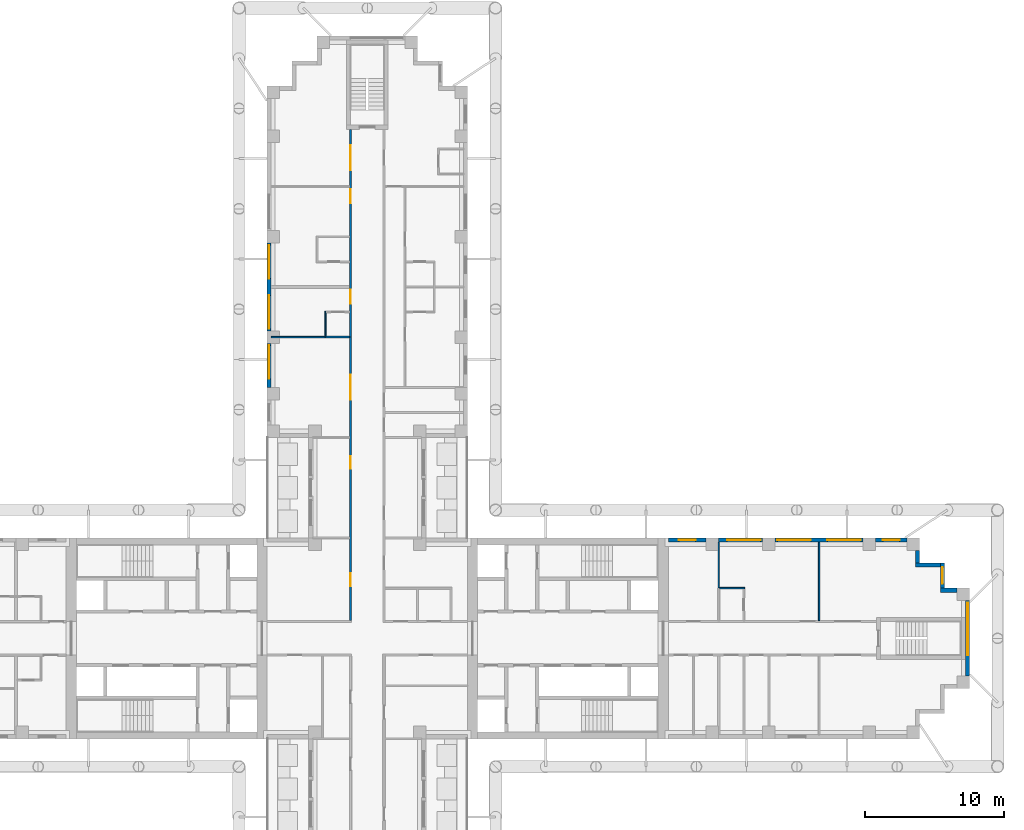
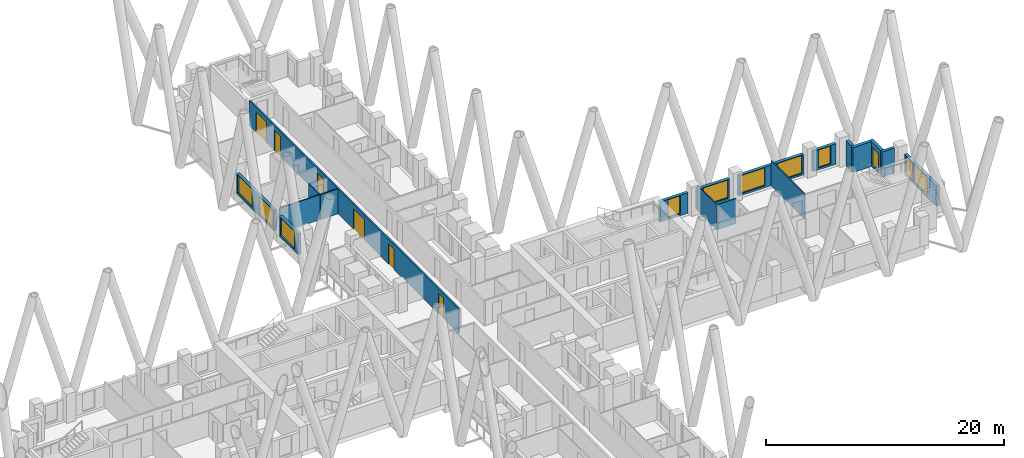
# One storey, part 11 of 16: 18 walls, 11 windows, 6 doors, 17 openings.
"""IFC4 building model written with IfcOpenShell, lengths in metres."""

from ifc_helpers import new_model, si_unit, direction, frame, frame_2d, origin, place, context, subcontext, project, spatial, rectangle, extrude, material, layer, layer_set, type_object, element, fill, save


model = new_model("IFC4")

# Units and contexts
model_context = context("Model", 3, precision=1e-05, world=origin(), true_north=direction((0.0, 1.0)))
body_context = subcontext(model_context, "Body", "Model", "MODEL_VIEW")
ifc_project = project(units=[si_unit("LENGTHUNIT", "METRE"), si_unit("AREAUNIT", "SQUARE_METRE"), si_unit("VOLUMEUNIT", "CUBIC_METRE"), si_unit("PLANEANGLEUNIT", "RADIAN"), si_unit("MASSUNIT", "GRAM", prefix="KILO")], contexts=[model_context])

# Site, building, storey
site_placement = place(None, origin())
site = spatial("IfcSite", under=ifc_project, at=site_placement, CompositionType="ELEMENT")
building_placement = place(site_placement, origin())
building = spatial("IfcBuilding", under=site, at=building_placement, Name="Fustian Cross Tower", CompositionType="ELEMENT")
storey_placement = place(building_placement, frame((0.0, 0.0, 44.699951171875)))
storey = spatial("IfcBuildingStorey", under=building, at=storey_placement, Name="L13", CompositionType="ELEMENT", Elevation=44.699951171875)

# Wall, openings, doors
ifc_material_1 = material(Name="Plasterboard on steel stud", Category="steel")
ifc_layer_1 = layer(ifc_material_1, 0.14990234375)
ifc_layer_set_1 = layer_set([ifc_layer_1], Name="Plasterboard on steel stud")
wall_type_1 = type_object("IfcWallType", Name="COMPARTMENT WALL 150 EI 60", PredefinedType="PARTITIONING", material=ifc_layer_set_1)
wall_1_placement = place(storey_placement, frame((-1.199951171875, 1.27490234375, 0.0), z_axis=(0.0, 0.0, 1.0), x_axis=(0.0, 1.0, 0.0)))
wall_1 = element("IfcWall", 1, at=wall_1_placement, inside=storey, type_object=wall_type_1, Name="Partition 43", PredefinedType="PARTITIONING", context=body_context, shape_type="SweptSolid", body=[
    extrude(rectangle(XDim=35.22509765625, YDim=0.14990234375, at=frame_2d((17.612548828125, 0.0))), origin(), (0.0, 0.0, 1.0), 2.574951171875),
])
opening_1_placement = place(wall_1_placement, frame((2.47509765625, 0.0, 0.0)))
opening_1 = element("IfcOpeningElement", 2, at=opening_1_placement, cuts=wall_1, Name="Opening D08004", PredefinedType="OPENING", context=body_context, shape_type="SweptSolid", body=[
    extrude(rectangle(XDim=0.89990234375, YDim=2.10009765625, at=frame_2d((0.449951171875, 1.050048828125))), frame((0.0, 0.0849609375, 0.0), z_axis=(0.0, -1.0, 0.0), x_axis=(1.0, 0.0, 0.0)), (0.0, 0.0, 1.0), 0.169921875),
])
opening_2_placement = place(wall_1_placement, frame((10.875, 0.0, 0.0)))
opening_2 = element("IfcOpeningElement", 3, at=opening_2_placement, cuts=wall_1, Name="Opening D08019", PredefinedType="OPENING", context=body_context, shape_type="SweptSolid", body=[
    extrude(rectangle(XDim=0.89990234375, YDim=2.10009765625, at=frame_2d((0.449951171875, 1.050048828125))), frame((0.0, 0.0849609375, 0.0), z_axis=(0.0, -1.0, 0.0), x_axis=(1.0, 0.0, 0.0)), (0.0, 0.0, 1.0), 0.169921875),
])
opening_3_placement = place(wall_1_placement, frame((15.824951171875, 0.0, 0.0)))
opening_3 = element("IfcOpeningElement", 4, at=opening_3_placement, cuts=wall_1, Name="Opening D08020", PredefinedType="OPENING", context=body_context, shape_type="SweptSolid", body=[
    extrude(rectangle(XDim=1.800048828125, YDim=2.10009765625, at=frame_2d((0.89990234375, 1.050048828125))), frame((0.0, 0.0849609375, 0.0), z_axis=(0.0, -1.0, 0.0), x_axis=(1.0, 0.0, 0.0)), (0.0, 0.0, 1.0), 0.169921875),
])
opening_4_placement = place(wall_1_placement, frame((22.72509765625, 0.0, 0.0)))
opening_4 = element("IfcOpeningElement", 5, at=opening_4_placement, cuts=wall_1, Name="Opening D08022", PredefinedType="OPENING", context=body_context, shape_type="SweptSolid", body=[
    extrude(rectangle(XDim=1.0, YDim=2.10009765625, at=frame_2d((0.5, 1.050048828125))), frame((0.0, 0.0849609375, 0.0), z_axis=(0.0, -1.0, 0.0), x_axis=(1.0, 0.0, 0.0)), (0.0, 0.0, 1.0), 0.169921875),
])
opening_5_placement = place(wall_1_placement, frame((29.925048828125, 0.0, 0.0)))
opening_5 = element("IfcOpeningElement", 6, at=opening_5_placement, cuts=wall_1, Name="Opening D08024", PredefinedType="OPENING", context=body_context, shape_type="SweptSolid", body=[
    extrude(rectangle(XDim=1.0, YDim=2.10009765625, at=frame_2d((0.5, 1.050048828125))), frame((0.0, 0.0849609375, 0.0), z_axis=(0.0, -1.0, 0.0), x_axis=(1.0, 0.0, 0.0)), (0.0, 0.0, 1.0), 0.169921875),
])
opening_6_placement = place(wall_1_placement, frame((32.27490234375, 0.0, 0.0)))
opening_6 = element("IfcOpeningElement", 7, at=opening_6_placement, cuts=wall_1, Name="Opening D08025", PredefinedType="OPENING", context=body_context, shape_type="SweptSolid", body=[
    extrude(rectangle(XDim=1.800048828125, YDim=2.10009765625, at=frame_2d((0.89990234375, 1.050048828125))), frame((0.0, 0.0849609375, 0.0), z_axis=(0.0, -1.0, 0.0), x_axis=(1.0, 0.0, 0.0)), (0.0, 0.0, 1.0), 0.169921875),
])
ifc_material_2 = material(Name="Timber fire door set", Category="wood")
door_type_1 = type_object("IfcDoorType", Name="FIRE DOUBLE DOOR 1800 FD30S", OperationType="DOUBLE_DOOR_DOUBLE_SWING", PredefinedType="DOOR", material=ifc_material_2)
door_1_placement = place(opening_3_placement, frame((1.800048828125, 0.0, 0.0), z_axis=(0.0, 0.0, 1.0), x_axis=(-1.0, 0.0, 0.0)))
door_1 = element("IfcDoor", 8, at=door_1_placement, inside=storey, type_object=door_type_1, Name="Door D08020", OperationType="DOUBLE_DOOR_DOUBLE_SWING", OverallHeight=2.10009765625, OverallWidth=1.800048828125, PredefinedType="DOOR", context=body_context, shape_type="SweptSolid", body=[
    extrude(rectangle(XDim=1.800048828125, YDim=2.10009765625, at=frame_2d((0.89990234375, 1.050048828125))), frame((0.0, 0.02490234375, 0.0), z_axis=(0.0, -1.0, 0.0), x_axis=(1.0, 0.0, 0.0)), (0.0, 0.0, 1.0), 0.050048828125),
])
fill(opening_3, door_1)
door_2_placement = place(opening_6_placement, frame((1.800048828125, 0.0, 0.0), z_axis=(0.0, 0.0, 1.0), x_axis=(-1.0, 0.0, 0.0)))
door_2 = element("IfcDoor", 9, at=door_2_placement, inside=storey, type_object=door_type_1, Name="Door D08025", OperationType="DOUBLE_DOOR_DOUBLE_SWING", OverallHeight=2.10009765625, OverallWidth=1.800048828125, PredefinedType="DOOR", context=body_context, shape_type="SweptSolid", body=[
    extrude(rectangle(XDim=1.800048828125, YDim=2.10009765625, at=frame_2d((0.89990234375, 1.050048828125))), frame((0.0, 0.02490234375, 0.0), z_axis=(0.0, -1.0, 0.0), x_axis=(1.0, 0.0, 0.0)), (0.0, 0.0, 1.0), 0.050048828125),
])
fill(opening_6, door_2)
ifc_material_3 = material(Name="Timber fire door set", Category="wood")
door_type_2 = type_object("IfcDoorType", Name="FIRE SWING DOOR 1000 FD30S", OperationType="SINGLE_SWING_LEFT", PredefinedType="DOOR", material=ifc_material_3)
door_3_placement = place(opening_4_placement, origin())
door_3 = element("IfcDoor", 10, at=door_3_placement, inside=storey, type_object=door_type_2, Name="Door D08022", OperationType="SINGLE_SWING_RIGHT", OverallHeight=2.10009765625, OverallWidth=1.0, PredefinedType="DOOR", context=body_context, shape_type="SweptSolid", body=[
    extrude(rectangle(XDim=1.0, YDim=2.10009765625, at=frame_2d((0.5, 1.050048828125))), frame((0.0, 0.02490234375, 0.0), z_axis=(0.0, -1.0, 0.0), x_axis=(1.0, 0.0, 0.0)), (0.0, 0.0, 1.0), 0.050048828125),
])
fill(opening_4, door_3)
door_4_placement = place(opening_5_placement, origin())
door_4 = element("IfcDoor", 11, at=door_4_placement, inside=storey, type_object=door_type_2, Name="Door D08024", OperationType="SINGLE_SWING_RIGHT", OverallHeight=2.10009765625, OverallWidth=1.0, PredefinedType="DOOR", context=body_context, shape_type="SweptSolid", body=[
    extrude(rectangle(XDim=1.0, YDim=2.10009765625, at=frame_2d((0.5, 1.050048828125))), frame((0.0, 0.02490234375, 0.0), z_axis=(0.0, -1.0, 0.0), x_axis=(1.0, 0.0, 0.0)), (0.0, 0.0, 1.0), 0.050048828125),
])
fill(opening_5, door_4)
ifc_material_4 = material(Name="Timber fire door set", Category="wood")
door_type_3 = type_object("IfcDoorType", Name="FIRE SWING DOOR 900 FD30S", OperationType="SINGLE_SWING_LEFT", PredefinedType="DOOR", material=ifc_material_4)
door_5_placement = place(opening_1_placement, origin())
door_5 = element("IfcDoor", 12, at=door_5_placement, inside=storey, type_object=door_type_3, Name="Door D08004", OperationType="SINGLE_SWING_LEFT", OverallHeight=2.10009765625, OverallWidth=0.89990234375, PredefinedType="DOOR", context=body_context, shape_type="SweptSolid", body=[
    extrude(rectangle(XDim=0.89990234375, YDim=2.10009765625, at=frame_2d((0.449951171875, 1.050048828125))), frame((0.0, 0.02490234375, 0.0), z_axis=(0.0, -1.0, 0.0), x_axis=(1.0, 0.0, 0.0)), (0.0, 0.0, 1.0), 0.050048828125),
])
fill(opening_1, door_5)
door_6_placement = place(opening_2_placement, origin())
door_6 = element("IfcDoor", 13, at=door_6_placement, inside=storey, type_object=door_type_3, Name="Door D08019", OperationType="SINGLE_SWING_RIGHT", OverallHeight=2.10009765625, OverallWidth=0.89990234375, PredefinedType="DOOR", context=body_context, shape_type="SweptSolid", body=[
    extrude(rectangle(XDim=0.89990234375, YDim=2.10009765625, at=frame_2d((0.449951171875, 1.050048828125))), frame((0.0, 0.02490234375, 0.0), z_axis=(0.0, -1.0, 0.0), x_axis=(1.0, 0.0, 0.0)), (0.0, 0.0, 1.0), 0.050048828125),
])
fill(opening_2, door_6)

# Walls
ifc_material_5 = material(Name="Plasterboard on steel stud", Category="steel")
ifc_layer_2 = layer(ifc_material_5, 0.10009765625)
ifc_layer_set_2 = layer_set([ifc_layer_2], Name="Plasterboard on steel stud")
wall_type_2 = type_object("IfcWallType", Name="PARTITION 100 STUD", PredefinedType="PARTITIONING", material=ifc_layer_set_2)
wall_2_placement = place(storey_placement, frame((-6.89990234375, 21.60009765625, 0.0), z_axis=(0.0, 0.0, 1.0), x_axis=(1.0, 0.0, 0.0)))
element("IfcWall", 14, at=wall_2_placement, inside=storey, type_object=wall_type_2, Name="Partition 23", PredefinedType="PARTITIONING", context=body_context, shape_type="SweptSolid", body=[
    extrude(rectangle(XDim=3.89990234375, YDim=0.10009765625, at=frame_2d((1.949951171875, 0.0))), origin(), (0.0, 0.0, 1.0), 2.574951171875),
])
wall_3_placement = place(storey_placement, frame((-3.0, 21.66259765625, 0.0), z_axis=(0.0, 0.0, 1.0), x_axis=(0.0, 1.0, 0.0)))
element("IfcWall", 15, at=wall_3_placement, inside=storey, type_object=wall_type_2, Name="Partition 38", PredefinedType="PARTITIONING", context=body_context, shape_type="SweptSolid", body=[
    extrude(rectangle(XDim=1.787353515625, YDim=0.10009765625, at=frame_2d((0.8935546875, 0.0))), origin(), (0.0, 0.0, 1.0), 2.574951171875),
])
wall_4_placement = place(storey_placement, frame((25.199951171875, 3.60009765625, 0.0), z_axis=(0.0, 0.0, 1.0), x_axis=(0.0, 1.0, 0.0)))
element("IfcWall", 16, at=wall_4_placement, inside=storey, type_object=wall_type_2, Name="Partition 82", PredefinedType="PARTITIONING", context=body_context, shape_type="SweptSolid", body=[
    extrude(rectangle(XDim=3.2998046875, YDim=0.10009765625, at=frame_2d((1.64990234375, 0.0))), origin(), (0.0, 0.0, 1.0), 2.574951171875),
])
wall_5_placement = place(storey_placement, frame((25.262451171875, 3.60009765625, 0.0), z_axis=(0.0, 0.0, 1.0), x_axis=(1.0, 0.0, 0.0)))
element("IfcWall", 17, at=wall_5_placement, inside=storey, type_object=wall_type_2, Name="Partition 83", PredefinedType="PARTITIONING", context=body_context, shape_type="SweptSolid", body=[
    extrude(rectangle(XDim=1.78759765625, YDim=0.10009765625, at=frame_2d((0.893798828125, 0.0))), origin(), (0.0, 0.0, 1.0), 2.574951171875),
])
wall_6_placement = place(storey_placement, frame((32.39990234375, 1.27490234375, 0.0), z_axis=(0.0, 0.0, 1.0), x_axis=(0.0, 1.0, 0.0)))
element("IfcWall", 18, at=wall_6_placement, inside=storey, type_object=wall_type_2, Name="Partition 88", PredefinedType="PARTITIONING", context=body_context, shape_type="SweptSolid", body=[
    extrude(rectangle(XDim=5.625, YDim=0.10009765625, at=frame_2d((2.8125, 0.0))), origin(), (0.0, 0.0, 1.0), 2.574951171875),
])
ifc_material_6 = material(Name="Plasterboard on steel stud", Category="steel")
ifc_layer_3 = layer(ifc_material_6, 0.125)
ifc_layer_set_3 = layer_set([ifc_layer_3], Name="Plasterboard on steel stud")
wall_type_3 = type_object("IfcWallType", Name="WET WALL 125 STUD", PredefinedType="PARTITIONING", material=ifc_layer_set_3)
wall_7_placement = place(storey_placement, frame((-3.0, 21.60009765625, 0.0), z_axis=(0.0, 0.0, 1.0), x_axis=(1.0, 0.0, 0.0)))
element("IfcWall", 19, at=wall_7_placement, inside=storey, type_object=wall_type_3, Name="Partition 39", PredefinedType="PARTITIONING", context=body_context, shape_type="SweptSolid", body=[
    extrude(rectangle(XDim=1.72509765625, YDim=0.125, at=frame_2d((0.862548828125, 0.0))), origin(), (0.0, 0.0, 1.0), 2.574951171875),
])

# Wall, openings, windows
ifc_material_7 = material(Name="Dark aluminium cladding on insulated backing wall", Category="aluminium")
ifc_layer_4 = layer(ifc_material_7, 0.300048828125)
ifc_layer_set_4 = layer_set([ifc_layer_4], Name="Dark aluminium cladding on insulated backing wall")
wall_type_4 = type_object("IfcWallType", Name="XW1 EXTERNAL WALL 300", PredefinedType="SOLIDWALL", material=ifc_layer_set_4)
wall_8_placement = place(storey_placement, frame((43.050048828125, -2.699951171875, 0.0), z_axis=(0.0, 0.0, 1.0), x_axis=(0.0, 1.0, 0.0)))
wall_8 = element("IfcWall", 20, at=wall_8_placement, inside=storey, type_object=wall_type_4, Name="External wall", PredefinedType="SOLIDWALL", context=body_context, shape_type="SweptSolid", body=[
    extrude(rectangle(XDim=5.39990234375, YDim=0.300048828125, at=frame_2d((2.699951171875, 0.0))), origin(), (0.0, 0.0, 1.0), 2.10009765625),
])
opening_7_placement = place(wall_8_placement, frame((1.5, 0.0, 0.199951171875)))
opening_7 = element("IfcOpeningElement", 21, at=opening_7_placement, cuts=wall_8, Name="Opening WN1", PredefinedType="OPENING", context=body_context, shape_type="SweptSolid", body=[
    extrude(rectangle(XDim=2.39990234375, YDim=1.85009765625, at=frame_2d((1.199951171875, 0.925048828125))), frame((0.0, 0.159912109375, 0.0), z_axis=(0.0, -1.0, 0.0), x_axis=(1.0, 0.0, 0.0)), (0.0, 0.0, 1.0), 0.320068359375),
])
opening_8_placement = place(wall_8_placement, frame((4.050048828125, 0.0, 0.199951171875)))
opening_8 = element("IfcOpeningElement", 22, at=opening_8_placement, cuts=wall_8, Name="Opening WN3", PredefinedType="OPENING", context=body_context, shape_type="SweptSolid", body=[
    extrude(rectangle(XDim=1.199951171875, YDim=1.85009765625, at=frame_2d((0.60009765625, 0.925048828125))), frame((0.0, 0.159912109375, 0.0), z_axis=(0.0, -1.0, 0.0), x_axis=(1.0, 0.0, 0.0)), (0.0, 0.0, 1.0), 0.320068359375),
])
ifc_material_8 = material(Name="Dark anodised aluminium and double glazing", Category="aluminium")
window_type_1 = type_object("IfcWindowType", Name="WN1 WINDOW 2400X1850", PartitioningType="SINGLE_PANEL", PredefinedType="WINDOW", material=ifc_material_8)
window_1_placement = place(opening_7_placement, origin())
window_1 = element("IfcWindow", 23, at=window_1_placement, inside=storey, type_object=window_type_1, Name="Window", OverallHeight=1.85009765625, OverallWidth=2.39990234375, PartitioningType="SINGLE_PANEL", PredefinedType="WINDOW", context=body_context, shape_type="SweptSolid", body=[
    extrude(rectangle(XDim=2.39990234375, YDim=1.85009765625, at=frame_2d((1.199951171875, 0.925048828125))), frame((0.0, 0.030029296875, 0.0), z_axis=(0.0, -1.0, 0.0), x_axis=(1.0, 0.0, 0.0)), (0.0, 0.0, 1.0), 0.06005859375),
])
fill(opening_7, window_1)
ifc_material_9 = material(Name="Dark anodised aluminium and double glazing", Category="aluminium")
window_type_2 = type_object("IfcWindowType", Name="WN3 WINDOW 1200X1850", PartitioningType="SINGLE_PANEL", PredefinedType="WINDOW", material=ifc_material_9)
window_2_placement = place(opening_8_placement, origin())
window_2 = element("IfcWindow", 24, at=window_2_placement, inside=storey, type_object=window_type_2, Name="Window", OverallHeight=1.85009765625, OverallWidth=1.199951171875, PartitioningType="SINGLE_PANEL", PredefinedType="WINDOW", context=body_context, shape_type="SweptSolid", body=[
    extrude(rectangle(XDim=1.199951171875, YDim=1.85009765625, at=frame_2d((0.60009765625, 0.925048828125))), frame((0.0, 0.030029296875, 0.0), z_axis=(0.0, -1.0, 0.0), x_axis=(1.0, 0.0, 0.0)), (0.0, 0.0, 1.0), 0.06005859375),
])
fill(opening_8, window_2)

# Wall
wall_9_placement = place(storey_placement, frame((42.300048828125, 3.449951171875, 0.0), z_axis=(0.0, 0.0, 1.0), x_axis=(-1.0, 0.0, 0.0)))
element("IfcWall", 25, at=wall_9_placement, inside=storey, type_object=wall_type_4, Name="External wall", PredefinedType="SOLIDWALL", context=body_context, shape_type="SweptSolid", body=[
    extrude(rectangle(XDim=1.199951171875, YDim=0.300048828125, at=frame_2d((0.60009765625, 0.0))), origin(), (0.0, 0.0, 1.0), 2.574951171875),
])

# Wall, opening, window
wall_10_placement = place(storey_placement, frame((41.25, 3.60009765625, 0.0), z_axis=(0.0, 0.0, 1.0), x_axis=(0.0, 1.0, 0.0)))
wall_10 = element("IfcWall", 26, at=wall_10_placement, inside=storey, type_object=wall_type_4, Name="External wall", PredefinedType="SOLIDWALL", context=body_context, shape_type="SweptSolid", body=[
    extrude(rectangle(XDim=1.7998046875, YDim=0.300048828125, at=frame_2d((0.89990234375, 0.0))), origin(), (0.0, 0.0, 1.0), 2.574951171875),
])
opening_9_placement = place(wall_10_placement, frame((0.300048828125, 0.0, 0.199951171875)))
opening_9 = element("IfcOpeningElement", 27, at=opening_9_placement, cuts=wall_10, Name="Opening WN3", PredefinedType="OPENING", context=body_context, shape_type="SweptSolid", body=[
    extrude(rectangle(XDim=1.199951171875, YDim=1.85009765625, at=frame_2d((0.60009765625, 0.925048828125))), frame((0.0, 0.159912109375, 0.0), z_axis=(0.0, -1.0, 0.0), x_axis=(1.0, 0.0, 0.0)), (0.0, 0.0, 1.0), 0.320068359375),
])
window_3_placement = place(opening_9_placement, origin())
window_3 = element("IfcWindow", 28, at=window_3_placement, inside=storey, type_object=window_type_2, Name="Window", OverallHeight=1.85009765625, OverallWidth=1.199951171875, PartitioningType="SINGLE_PANEL", PredefinedType="WINDOW", context=body_context, shape_type="SweptSolid", body=[
    extrude(rectangle(XDim=1.199951171875, YDim=1.85009765625, at=frame_2d((0.60009765625, 0.925048828125))), frame((0.0, 0.030029296875, 0.0), z_axis=(0.0, -1.0, 0.0), x_axis=(1.0, 0.0, 0.0)), (0.0, 0.0, 1.0), 0.06005859375),
])
fill(opening_9, window_3)

# Walls
wall_11_placement = place(storey_placement, frame((41.10009765625, 5.25, 0.0), z_axis=(0.0, 0.0, 1.0), x_axis=(-1.0, 0.0, 0.0)))
element("IfcWall", 29, at=wall_11_placement, inside=storey, type_object=wall_type_4, Name="External wall", PredefinedType="SOLIDWALL", context=body_context, shape_type="SweptSolid", body=[
    extrude(rectangle(XDim=1.800048828125, YDim=0.300048828125, at=frame_2d((0.89990234375, 0.0))), origin(), (0.0, 0.0, 1.0), 2.574951171875),
])
wall_12_placement = place(storey_placement, frame((39.449951171875, 5.39990234375, 0.0), z_axis=(0.0, 0.0, 1.0), x_axis=(0.0, 1.0, 0.0)))
element("IfcWall", 30, at=wall_12_placement, inside=storey, type_object=wall_type_4, Name="External wall", PredefinedType="SOLIDWALL", context=body_context, shape_type="SweptSolid", body=[
    extrude(rectangle(XDim=0.900146484375, YDim=0.300048828125, at=frame_2d((0.4501953125, 0.0))), origin(), (0.0, 0.0, 1.0), 2.574951171875),
])

# Wall, opening, window
wall_13_placement = place(storey_placement, frame((38.699951171875, 7.050048828125, 0.0), z_axis=(0.0, 0.0, 1.0), x_axis=(-1.0, 0.0, 0.0)))
wall_13 = element("IfcWall", 31, at=wall_13_placement, inside=storey, type_object=wall_type_4, Name="External wall", PredefinedType="SOLIDWALL", context=body_context, shape_type="SweptSolid", body=[
    extrude(rectangle(XDim=2.25, YDim=0.300048828125, at=frame_2d((1.125, 0.0))), origin(), (0.0, 0.0, 1.0), 2.10009765625),
])
opening_10_placement = place(wall_13_placement, frame((0.52490234375, 0.0, 0.199951171875)))
opening_10 = element("IfcOpeningElement", 32, at=opening_10_placement, cuts=wall_13, Name="Opening WN3", PredefinedType="OPENING", context=body_context, shape_type="SweptSolid", body=[
    extrude(rectangle(XDim=1.199951171875, YDim=1.85009765625, at=frame_2d((0.60009765625, 0.925048828125))), frame((0.0, 0.159912109375, 0.0), z_axis=(0.0, -1.0, 0.0), x_axis=(1.0, 0.0, 0.0)), (0.0, 0.0, 1.0), 0.320068359375),
])
window_4_placement = place(opening_10_placement, origin())
window_4 = element("IfcWindow", 33, at=window_4_placement, inside=storey, type_object=window_type_2, Name="Window", OverallHeight=1.85009765625, OverallWidth=1.199951171875, PartitioningType="SINGLE_PANEL", PredefinedType="WINDOW", context=body_context, shape_type="SweptSolid", body=[
    extrude(rectangle(XDim=1.199951171875, YDim=1.85009765625, at=frame_2d((0.60009765625, 0.925048828125))), frame((0.0, 0.030029296875, 0.0), z_axis=(0.0, -1.0, 0.0), x_axis=(1.0, 0.0, 0.0)), (0.0, 0.0, 1.0), 0.06005859375),
])
fill(opening_10, window_4)

# Wall, openings, windows
wall_14_placement = place(storey_placement, frame((35.550048828125, 7.050048828125, 0.0), z_axis=(0.0, 0.0, 1.0), x_axis=(-1.0, 0.0, 0.0)))
wall_14 = element("IfcWall", 34, at=wall_14_placement, inside=storey, type_object=wall_type_4, Name="External wall", PredefinedType="SOLIDWALL", context=body_context, shape_type="SweptSolid", body=[
    extrude(rectangle(XDim=6.300048828125, YDim=0.300048828125, at=frame_2d((3.14990234375, 0.0))), origin(), (0.0, 0.0, 1.0), 2.10009765625),
])
opening_11_placement = place(wall_14_placement, frame((0.14990234375, 0.0, 0.199951171875)))
opening_11 = element("IfcOpeningElement", 35, at=opening_11_placement, cuts=wall_14, Name="Opening WN1", PredefinedType="OPENING", context=body_context, shape_type="SweptSolid", body=[
    extrude(rectangle(XDim=2.39990234375, YDim=1.85009765625, at=frame_2d((1.199951171875, 0.925048828125))), frame((0.0, 0.159912109375, 0.0), z_axis=(0.0, -1.0, 0.0), x_axis=(1.0, 0.0, 0.0)), (0.0, 0.0, 1.0), 0.320068359375),
])
opening_12_placement = place(wall_14_placement, frame((3.75, 0.0, 0.199951171875)))
opening_12 = element("IfcOpeningElement", 36, at=opening_12_placement, cuts=wall_14, Name="Opening WN1", PredefinedType="OPENING", context=body_context, shape_type="SweptSolid", body=[
    extrude(rectangle(XDim=2.39990234375, YDim=1.85009765625, at=frame_2d((1.199951171875, 0.925048828125))), frame((0.0, 0.159912109375, 0.0), z_axis=(0.0, -1.0, 0.0), x_axis=(1.0, 0.0, 0.0)), (0.0, 0.0, 1.0), 0.320068359375),
])
window_5_placement = place(opening_11_placement, origin())
window_5 = element("IfcWindow", 37, at=window_5_placement, inside=storey, type_object=window_type_1, Name="Window", OverallHeight=1.85009765625, OverallWidth=2.39990234375, PartitioningType="SINGLE_PANEL", PredefinedType="WINDOW", context=body_context, shape_type="SweptSolid", body=[
    extrude(rectangle(XDim=2.39990234375, YDim=1.85009765625, at=frame_2d((1.199951171875, 0.925048828125))), frame((0.0, 0.030029296875, 0.0), z_axis=(0.0, -1.0, 0.0), x_axis=(1.0, 0.0, 0.0)), (0.0, 0.0, 1.0), 0.06005859375),
])
fill(opening_11, window_5)
window_6_placement = place(opening_12_placement, origin())
window_6 = element("IfcWindow", 38, at=window_6_placement, inside=storey, type_object=window_type_1, Name="Window", OverallHeight=1.85009765625, OverallWidth=2.39990234375, PartitioningType="SINGLE_PANEL", PredefinedType="WINDOW", context=body_context, shape_type="SweptSolid", body=[
    extrude(rectangle(XDim=2.39990234375, YDim=1.85009765625, at=frame_2d((1.199951171875, 0.925048828125))), frame((0.0, 0.030029296875, 0.0), z_axis=(0.0, -1.0, 0.0), x_axis=(1.0, 0.0, 0.0)), (0.0, 0.0, 1.0), 0.06005859375),
])
fill(opening_12, window_6)

# Wall, opening, window
wall_15_placement = place(storey_placement, frame((28.35009765625, 7.050048828125, 0.0), z_axis=(0.0, 0.0, 1.0), x_axis=(-1.0, 0.0, 0.0)))
wall_15 = element("IfcWall", 39, at=wall_15_placement, inside=storey, type_object=wall_type_4, Name="External wall", PredefinedType="SOLIDWALL", context=body_context, shape_type="SweptSolid", body=[
    extrude(rectangle(XDim=3.150146484375, YDim=0.300048828125, at=frame_2d((1.5751953125, 0.0))), origin(), (0.0, 0.0, 1.0), 2.10009765625),
])
opening_13_placement = place(wall_15_placement, frame((0.14990234375, 0.0, 0.199951171875)))
opening_13 = element("IfcOpeningElement", 40, at=opening_13_placement, cuts=wall_15, Name="Opening WN1", PredefinedType="OPENING", context=body_context, shape_type="SweptSolid", body=[
    extrude(rectangle(XDim=2.39990234375, YDim=1.85009765625, at=frame_2d((1.199951171875, 0.925048828125))), frame((0.0, 0.159912109375, 0.0), z_axis=(0.0, -1.0, 0.0), x_axis=(1.0, 0.0, 0.0)), (0.0, 0.0, 1.0), 0.320068359375),
])
window_7_placement = place(opening_13_placement, origin())
window_7 = element("IfcWindow", 41, at=window_7_placement, inside=storey, type_object=window_type_1, Name="Window", OverallHeight=1.85009765625, OverallWidth=2.39990234375, PartitioningType="SINGLE_PANEL", PredefinedType="WINDOW", context=body_context, shape_type="SweptSolid", body=[
    extrude(rectangle(XDim=2.39990234375, YDim=1.85009765625, at=frame_2d((1.199951171875, 0.925048828125))), frame((0.0, 0.030029296875, 0.0), z_axis=(0.0, -1.0, 0.0), x_axis=(1.0, 0.0, 0.0)), (0.0, 0.0, 1.0), 0.06005859375),
])
fill(opening_13, window_7)

wall_16_placement = place(storey_placement, frame((24.300048828125, 7.050048828125, 0.0), z_axis=(0.0, 0.0, 1.0), x_axis=(-1.0, 0.0, 0.0)))
wall_16 = element("IfcWall", 42, at=wall_16_placement, inside=storey, type_object=wall_type_4, Name="External wall", PredefinedType="SOLIDWALL", context=body_context, shape_type="SweptSolid", body=[
    extrude(rectangle(XDim=2.699951171875, YDim=0.300048828125, at=frame_2d((1.35009765625, 0.0))), origin(), (0.0, 0.0, 1.0), 2.10009765625),
])
opening_14_placement = place(wall_16_placement, frame((0.75, 0.0, 0.199951171875)))
opening_14 = element("IfcOpeningElement", 43, at=opening_14_placement, cuts=wall_16, Name="Opening WN3", PredefinedType="OPENING", context=body_context, shape_type="SweptSolid", body=[
    extrude(rectangle(XDim=1.199951171875, YDim=1.85009765625, at=frame_2d((0.60009765625, 0.925048828125))), frame((0.0, 0.159912109375, 0.0), z_axis=(0.0, -1.0, 0.0), x_axis=(1.0, 0.0, 0.0)), (0.0, 0.0, 1.0), 0.320068359375),
])
window_8_placement = place(opening_14_placement, origin())
window_8 = element("IfcWindow", 44, at=window_8_placement, inside=storey, type_object=window_type_2, Name="Window", OverallHeight=1.85009765625, OverallWidth=1.199951171875, PartitioningType="SINGLE_PANEL", PredefinedType="WINDOW", context=body_context, shape_type="SweptSolid", body=[
    extrude(rectangle(XDim=1.199951171875, YDim=1.85009765625, at=frame_2d((0.60009765625, 0.925048828125))), frame((0.0, 0.030029296875, 0.0), z_axis=(0.0, -1.0, 0.0), x_axis=(1.0, 0.0, 0.0)), (0.0, 0.0, 1.0), 0.06005859375),
])
fill(opening_14, window_8)

# Wall, openings, windows
wall_17_placement = place(storey_placement, frame((-7.050048828125, 28.35009765625, 0.0), z_axis=(0.0, 0.0, 1.0), x_axis=(0.0, -1.0, 0.0)))
wall_17 = element("IfcWall", 45, at=wall_17_placement, inside=storey, type_object=wall_type_4, Name="External wall", PredefinedType="SOLIDWALL", context=body_context, shape_type="SweptSolid", body=[
    extrude(rectangle(XDim=6.300048828125, YDim=0.300048828125, at=frame_2d((3.14990234375, 0.0))), origin(), (0.0, 0.0, 1.0), 2.10009765625),
])
opening_15_placement = place(wall_17_placement, frame((0.14990234375, 0.0, 0.199951171875)))
opening_15 = element("IfcOpeningElement", 46, at=opening_15_placement, cuts=wall_17, Name="Opening WN1", PredefinedType="OPENING", context=body_context, shape_type="SweptSolid", body=[
    extrude(rectangle(XDim=2.39990234375, YDim=1.85009765625, at=frame_2d((1.199951171875, 0.925048828125))), frame((0.0, 0.159912109375, 0.0), z_axis=(0.0, -1.0, 0.0), x_axis=(1.0, 0.0, 0.0)), (0.0, 0.0, 1.0), 0.320068359375),
])
opening_16_placement = place(wall_17_placement, frame((3.75, 0.0, 0.199951171875)))
opening_16 = element("IfcOpeningElement", 47, at=opening_16_placement, cuts=wall_17, Name="Opening WN1", PredefinedType="OPENING", context=body_context, shape_type="SweptSolid", body=[
    extrude(rectangle(XDim=2.39990234375, YDim=1.85009765625, at=frame_2d((1.199951171875, 0.925048828125))), frame((0.0, 0.159912109375, 0.0), z_axis=(0.0, -1.0, 0.0), x_axis=(1.0, 0.0, 0.0)), (0.0, 0.0, 1.0), 0.320068359375),
])
window_9_placement = place(opening_15_placement, origin())
window_9 = element("IfcWindow", 48, at=window_9_placement, inside=storey, type_object=window_type_1, Name="Window", OverallHeight=1.85009765625, OverallWidth=2.39990234375, PartitioningType="SINGLE_PANEL", PredefinedType="WINDOW", context=body_context, shape_type="SweptSolid", body=[
    extrude(rectangle(XDim=2.39990234375, YDim=1.85009765625, at=frame_2d((1.199951171875, 0.925048828125))), frame((0.0, 0.030029296875, 0.0), z_axis=(0.0, -1.0, 0.0), x_axis=(1.0, 0.0, 0.0)), (0.0, 0.0, 1.0), 0.06005859375),
])
fill(opening_15, window_9)
window_10_placement = place(opening_16_placement, origin())
window_10 = element("IfcWindow", 49, at=window_10_placement, inside=storey, type_object=window_type_1, Name="Window", OverallHeight=1.85009765625, OverallWidth=2.39990234375, PartitioningType="SINGLE_PANEL", PredefinedType="WINDOW", context=body_context, shape_type="SweptSolid", body=[
    extrude(rectangle(XDim=2.39990234375, YDim=1.85009765625, at=frame_2d((1.199951171875, 0.925048828125))), frame((0.0, 0.030029296875, 0.0), z_axis=(0.0, -1.0, 0.0), x_axis=(1.0, 0.0, 0.0)), (0.0, 0.0, 1.0), 0.06005859375),
])
fill(opening_16, window_10)

# Wall, opening, window
wall_18_placement = place(storey_placement, frame((-7.050048828125, 21.14990234375, 0.0), z_axis=(0.0, 0.0, 1.0), x_axis=(0.0, -1.0, 0.0)))
wall_18 = element("IfcWall", 50, at=wall_18_placement, inside=storey, type_object=wall_type_4, Name="External wall", PredefinedType="SOLIDWALL", context=body_context, shape_type="SweptSolid", body=[
    extrude(rectangle(XDim=3.14990234375, YDim=0.300048828125, at=frame_2d((1.574951171875, 0.0))), origin(), (0.0, 0.0, 1.0), 2.10009765625),
])
opening_17_placement = place(wall_18_placement, frame((0.14990234375, 0.0, 0.199951171875)))
opening_17 = element("IfcOpeningElement", 51, at=opening_17_placement, cuts=wall_18, Name="Opening WN1", PredefinedType="OPENING", context=body_context, shape_type="SweptSolid", body=[
    extrude(rectangle(XDim=2.39990234375, YDim=1.85009765625, at=frame_2d((1.199951171875, 0.925048828125))), frame((0.0, 0.159912109375, 0.0), z_axis=(0.0, -1.0, 0.0), x_axis=(1.0, 0.0, 0.0)), (0.0, 0.0, 1.0), 0.320068359375),
])
window_11_placement = place(opening_17_placement, origin())
window_11 = element("IfcWindow", 52, at=window_11_placement, inside=storey, type_object=window_type_1, Name="Window", OverallHeight=1.85009765625, OverallWidth=2.39990234375, PartitioningType="SINGLE_PANEL", PredefinedType="WINDOW", context=body_context, shape_type="SweptSolid", body=[
    extrude(rectangle(XDim=2.39990234375, YDim=1.85009765625, at=frame_2d((1.199951171875, 0.925048828125))), frame((0.0, 0.030029296875, 0.0), z_axis=(0.0, -1.0, 0.0), x_axis=(1.0, 0.0, 0.0)), (0.0, 0.0, 1.0), 0.06005859375),
])
fill(opening_17, window_11)

save(model, "model.ifc")
